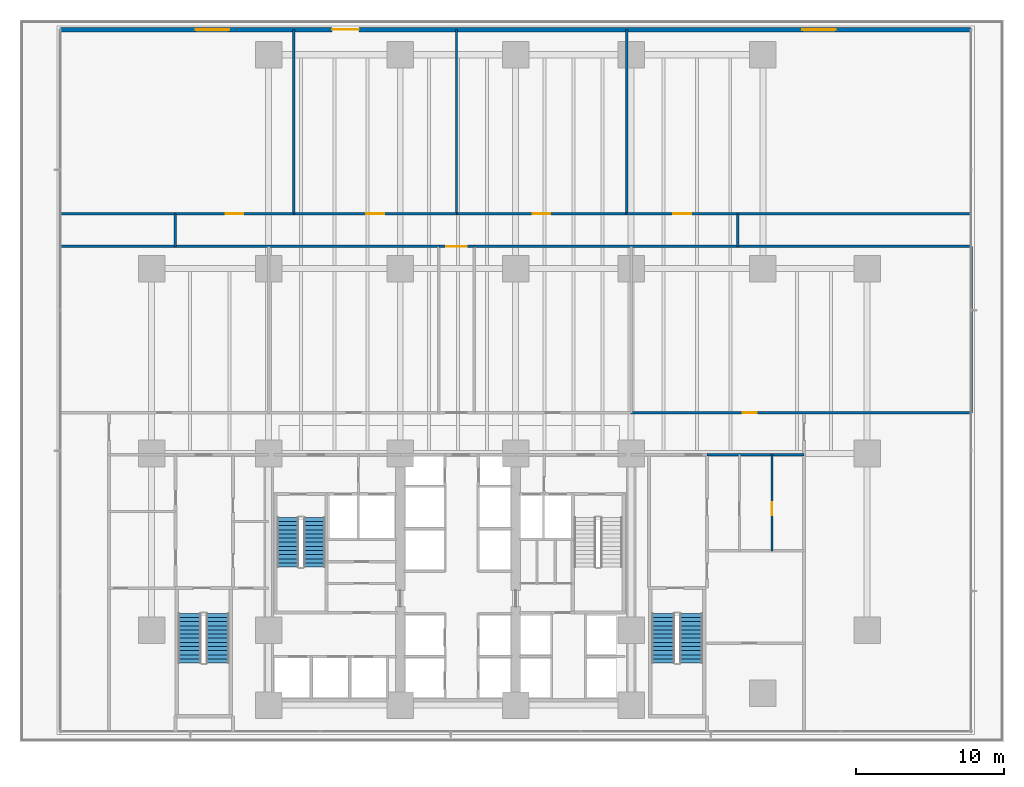
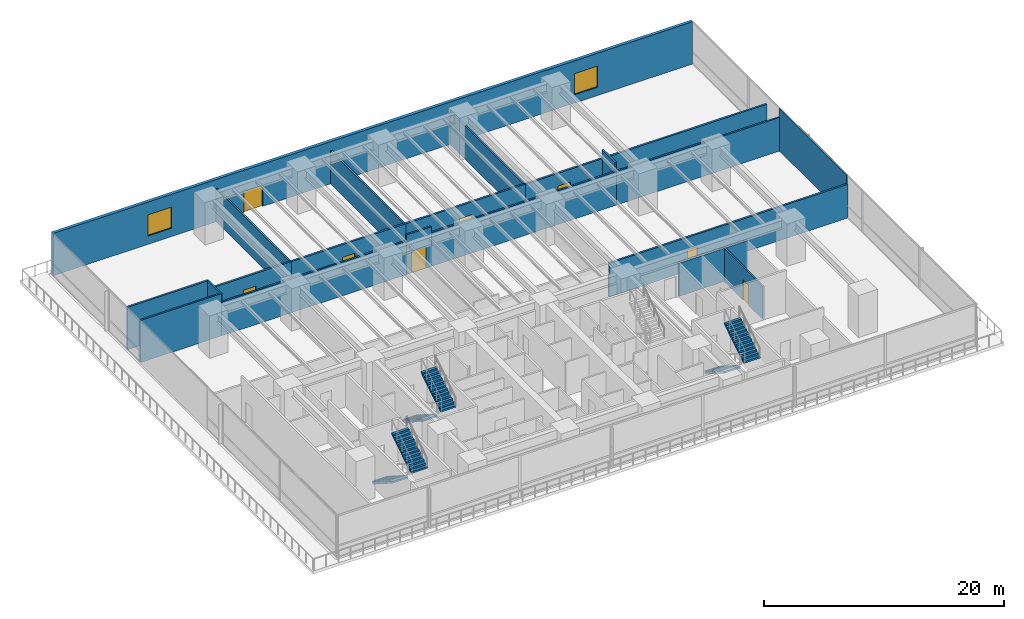
# One storey, part 13 of 26: 21 walls, 8 doors, 6 stair flights, 2 windows, 10 openings, 3 elements without a shape of their own.
"""IFC4 building model written with IfcOpenShell, lengths in metres."""

from ifc_helpers import new_model, si_unit, direction, frame, frame_2d, origin, place, context, subcontext, project, spatial, polyline, rectangle, outline, extrude, material, layer, layer_set, type_object, element, fill, aggregate, save


model = new_model("IFC4")

# Units and contexts
model_context = context("Model", 3, precision=1e-05, world=origin(), true_north=direction((0.0, 1.0)))
body_context = subcontext(model_context, "Body", "Model", "MODEL_VIEW")
ifc_project = project(units=[si_unit("LENGTHUNIT", "METRE"), si_unit("AREAUNIT", "SQUARE_METRE"), si_unit("VOLUMEUNIT", "CUBIC_METRE"), si_unit("PLANEANGLEUNIT", "RADIAN"), si_unit("MASSUNIT", "GRAM", prefix="KILO")], contexts=[model_context])

# Site, building, storey
site_placement = place(None, origin())
site = spatial("IfcSite", under=ifc_project, at=site_placement, CompositionType="ELEMENT")
building_placement = place(site_placement, origin())
building = spatial("IfcBuilding", under=site, at=building_placement, Name="Qalmaran Belvedere Hotel", CompositionType="ELEMENT")
storey_placement = place(building_placement, frame((0.0, 0.0, 19.199951171875)))
storey = spatial("IfcBuildingStorey", under=building, at=storey_placement, Name="L04", CompositionType="ELEMENT", Elevation=19.199951171875)

# Wall, openings, door, windows
ifc_material_1 = material(Name="Riyadh Limestone Cladding", Category="masonry")
ifc_layer_1 = layer(ifc_material_1, 0.300048828125, Name="Riyadh Limestone Cladding")
ifc_layer_set_1 = layer_set([ifc_layer_1], Name="Riyadh Limestone Cladding")
wall_type_1 = type_object("IfcWallType", Name="WL-EXT-BRNZ-300", PredefinedType="SOLIDWALL", material=ifc_layer_set_1)
wall_1_placement = place(storey_placement, frame((6.25, 49.14990234375, 0.0), z_axis=(0.0, 0.0, 1.0), x_axis=(1.0, 0.0, 0.0)))
wall_1 = element("IfcWall", 1, at=wall_1_placement, inside=storey, type_object=wall_type_1, Name="L04 North Terrace Wall", PredefinedType="SOLIDWALL", context=body_context, shape_type="SweptSolid", body=[
    extrude(rectangle(XDim=61.5, YDim=0.300048828125, at=frame_2d((30.75, 0.0))), origin(), (0.0, 0.0, 1.0), 4.300048828125),
])
opening_1_placement = place(wall_1_placement, frame((18.35009765625, 0.0, 0.0)))
opening_1 = element("IfcOpeningElement", 2, at=opening_1_placement, cuts=wall_1, Name="Opening TR-180", PredefinedType="OPENING", context=body_context, shape_type="SweptSolid", body=[
    extrude(rectangle(XDim=1.800048828125, YDim=2.14990234375, at=frame_2d((0.89990234375, 1.074951171875))), frame((0.0, 0.16015625, 0.0), z_axis=(0.0, -1.0, 0.0), x_axis=(1.0, 0.0, 0.0)), (0.0, 0.0, 1.0), 0.320068359375),
])
opening_2_placement = place(wall_1_placement, frame((9.125, 0.0, 0.85009765625)))
opening_2 = element("IfcOpeningElement", 3, at=opening_2_placement, cuts=wall_1, Name="Opening W-P22", PredefinedType="OPENING", context=body_context, shape_type="SweptSolid", body=[
    extrude(rectangle(XDim=2.25, YDim=2.14990234375, at=frame_2d((1.125, 1.074951171875))), frame((0.0, 0.16015625, 0.0), z_axis=(0.0, -1.0, 0.0), x_axis=(1.0, 0.0, 0.0)), (0.0, 0.0, 1.0), 0.320068359375),
])
opening_3_placement = place(wall_1_placement, frame((50.125, 0.0, 0.85009765625)))
opening_3 = element("IfcOpeningElement", 4, at=opening_3_placement, cuts=wall_1, Name="Opening W-P22", PredefinedType="OPENING", context=body_context, shape_type="SweptSolid", body=[
    extrude(rectangle(XDim=2.25, YDim=2.14990234375, at=frame_2d((1.125, 1.074951171875))), frame((0.0, 0.16015625, 0.0), z_axis=(0.0, -1.0, 0.0), x_axis=(1.0, 0.0, 0.0)), (0.0, 0.0, 1.0), 0.320068359375),
])
ifc_material_2 = material(Name="Anodised Bronze Aluminium", Category="aluminium")
door_type_1 = type_object("IfcDoorType", Name="DR-TERR-1800X2150", OperationType="NOTDEFINED", PredefinedType="DOOR", material=ifc_material_2)
door_1_placement = place(opening_1_placement, origin())
door_1 = element("IfcDoor", 5, at=door_1_placement, inside=storey, type_object=door_type_1, Name="L04 Podium Terrace Door", OperationType="DOUBLE_DOOR_SINGLE_SWING", OverallHeight=2.14990234375, OverallWidth=1.800048828125, PredefinedType="DOOR", context=body_context, shape_type="SweptSolid", body=[
    extrude(rectangle(XDim=1.800048828125, YDim=2.14990234375, at=frame_2d((0.89990234375, 1.074951171875))), frame((0.0, 0.02490234375, 0.0), z_axis=(0.0, -1.0, 0.0), x_axis=(1.0, 0.0, 0.0)), (0.0, 0.0, 1.0), 0.050048828125),
])
fill(opening_1, door_1)
ifc_material_3 = material(Name="Solar-Control Double Glazing", Category="glass")
window_type = type_object("IfcWindowType", Name="WN-POD-2250X2150", PartitioningType="SINGLE_PANEL", PredefinedType="WINDOW", material=ifc_material_3)
window_1_placement = place(opening_2_placement, origin())
window_1 = element("IfcWindow", 6, at=window_1_placement, inside=storey, type_object=window_type, Name="L04 North Chicago Bay Window 1", OverallHeight=2.14990234375, OverallWidth=2.25, PartitioningType="SINGLE_PANEL", PredefinedType="WINDOW", context=body_context, shape_type="SweptSolid", body=[
    extrude(rectangle(XDim=2.25, YDim=2.14990234375, at=frame_2d((1.125, 1.074951171875))), frame((0.0, 0.030029296875, 0.0), z_axis=(0.0, -1.0, 0.0), x_axis=(1.0, 0.0, 0.0)), (0.0, 0.0, 1.0), 0.06005859375),
])
fill(opening_2, window_1)
window_2_placement = place(opening_3_placement, origin())
window_2 = element("IfcWindow", 7, at=window_2_placement, inside=storey, type_object=window_type, Name="L04 North Chicago Bay Window 5", OverallHeight=2.14990234375, OverallWidth=2.25, PartitioningType="SINGLE_PANEL", PredefinedType="WINDOW", context=body_context, shape_type="SweptSolid", body=[
    extrude(rectangle(XDim=2.25, YDim=2.14990234375, at=frame_2d((1.125, 1.074951171875))), frame((0.0, 0.030029296875, 0.0), z_axis=(0.0, -1.0, 0.0), x_axis=(1.0, 0.0, 0.0)), (0.0, 0.0, 1.0), 0.06005859375),
])
fill(opening_3, window_2)

# Wall, opening, door
ifc_material_4 = material(Name="Gypsum Stud Partition")
ifc_layer_2 = layer(ifc_material_4, 0.14990234375, Name="Gypsum Stud Partition")
ifc_layer_set_2 = layer_set([ifc_layer_2], Name="Gypsum Stud Partition")
wall_type_2 = type_object("IfcWallType", Name="WL-INT-150-EI60", PredefinedType="PARTITIONING", material=ifc_layer_set_2)
wall_2_placement = place(storey_placement, frame((54.320068359375, 13.919921875, 0.0), z_axis=(0.0, 0.0, 1.0), x_axis=(0.0, 1.0, 0.0)))
wall_2 = element("IfcWall", 8, at=wall_2_placement, inside=storey, type_object=wall_type_2, Name="L04 Partition WL-L04-FCCV2", PredefinedType="PARTITIONING", context=body_context, shape_type="SweptSolid", body=[
    extrude(rectangle(XDim=6.5, YDim=0.14990234375, at=frame_2d((3.25, 0.0))), origin(), (0.0, 0.0, 1.0), 3.373046875),
])
opening_4_placement = place(wall_2_placement, frame((2.39990234375, 0.0, 0.0)))
opening_4 = element("IfcOpeningElement", 9, at=opening_4_placement, cuts=wall_2, Name="Opening FD60B", PredefinedType="OPENING", context=body_context, shape_type="SweptSolid", body=[
    extrude(rectangle(XDim=0.8798828125, YDim=2.080078125, at=frame_2d((0.43994140625, 1.0400390625))), frame((0.0, 0.0849609375, 0.0), z_axis=(0.0, -1.0, 0.0), x_axis=(1.0, 0.0, 0.0)), (0.0, 0.0, 1.0), 0.169921875),
])
ifc_material_5 = material(Name="Steel S355JR", Category="steel")
door_type_2 = type_object("IfcDoorType", Name="DR-FD60B-880X2080", OperationType="NOTDEFINED", PredefinedType="DOOR", material=ifc_material_5)
door_2_placement = place(opening_4_placement, origin())
door_2 = element("IfcDoor", 10, at=door_2_placement, inside=storey, type_object=door_type_2, Name="L04 AV Store Door", OperationType="SINGLE_SWING_LEFT", OverallHeight=2.080078125, OverallWidth=0.8798828125, PredefinedType="DOOR", context=body_context, shape_type="SweptSolid", body=[
    extrude(rectangle(XDim=0.8798828125, YDim=2.080078125, at=frame_2d((0.43994140625, 1.0400390625))), frame((0.0, 0.02490234375, 0.0), z_axis=(0.0, -1.0, 0.0), x_axis=(1.0, 0.0, 0.0)), (0.0, 0.0, 1.0), 0.050048828125),
])
fill(opening_4, door_2)

ifc_layer_3 = layer(ifc_material_4, 0.159912109375, Name="Gypsum Stud Partition")
ifc_layer_set_3 = layer_set([ifc_layer_3], Name="Gypsum Stud Partition")
wall_type_3 = type_object("IfcWallType", Name="WL-INT-160-EI60", PredefinedType="PARTITIONING", material=ifc_layer_set_3)
wall_3_placement = place(storey_placement, frame((31.800048828125, 34.5, 0.0), z_axis=(0.0, 0.0, 1.0), x_axis=(1.0, 0.0, 0.0)))
wall_3 = element("IfcWall", 11, at=wall_3_placement, inside=storey, type_object=wall_type_3, Name="L04 Partition WL-L04-NALN", PredefinedType="PARTITIONING", context=body_context, shape_type="SweptSolid", body=[
    extrude(rectangle(XDim=2.39990234375, YDim=0.159912109375, at=frame_2d((1.199951171875, 0.0))), origin(), (0.0, 0.0, 1.0), 4.0380859375),
])
opening_5_placement = place(wall_3_placement, frame((0.5, 0.0, 0.0)))
opening_5 = element("IfcOpeningElement", 12, at=opening_5_placement, cuts=wall_3, Name="Opening FD90D", PredefinedType="OPENING", context=body_context, shape_type="SweptSolid", body=[
    extrude(rectangle(XDim=1.39990234375, YDim=2.199951171875, at=frame_2d((0.699951171875, 1.10009765625))), frame((0.0, 0.08984375, 0.0), z_axis=(0.0, -1.0, 0.0), x_axis=(1.0, 0.0, 0.0)), (0.0, 0.0, 1.0), 0.179931640625),
])
door_type_3 = type_object("IfcDoorType", Name="DR-FD90D-1400X2200", OperationType="NOTDEFINED", PredefinedType="DOOR", material=ifc_material_5)
door_3_placement = place(opening_5_placement, origin())
door_3 = element("IfcDoor", 13, at=door_3_placement, inside=storey, type_object=door_type_3, Name="L04 Atrium Link North Door", OperationType="DOUBLE_DOOR_SINGLE_SWING", OverallHeight=2.199951171875, OverallWidth=1.39990234375, PredefinedType="DOOR", context=body_context, shape_type="SweptSolid", body=[
    extrude(rectangle(XDim=1.39990234375, YDim=2.199951171875, at=frame_2d((0.699951171875, 1.10009765625))), frame((0.0, 0.02490234375, 0.0), z_axis=(0.0, -1.0, 0.0), x_axis=(1.0, 0.0, 0.0)), (0.0, 0.0, 1.0), 0.050048828125),
])
fill(opening_5, door_3)

# Walls
for number, where, z_axis, x_axis, name in (
    (14, (14.0, 34.5, 0.0), (0.0, 0.0, 1.0), (1.0, 0.0, 0.0), "L04 Partition WL-L04-NTPSW"),
    (15, (34.199951171875, 34.5, 0.0), (0.0, 0.0, 1.0), (1.0, 0.0, 0.0), "L04 Partition WL-L04-NTPSE"),
):
    element("IfcWall", number, at=place(storey_placement, frame(where, z_axis=z_axis, x_axis=x_axis)), inside=storey, type_object=wall_type_3, Name=name, PredefinedType="PARTITIONING", context=body_context, shape_type="SweptSolid", body=[
        extrude(rectangle(XDim=17.800048828125, YDim=0.159912109375, at=frame_2d((8.89990234375, 0.0))), origin(), (0.0, 0.0, 1.0), 3.429931640625),
    ])
for number, where, z_axis, x_axis, name in (
    (16, (14.0, 34.5, 0.0), (0.0, 0.0, 1.0), (0.0, 1.0, 0.0), "L04 Partition WL-L04-NTPW"),
    (17, (52.0, 34.5, 0.0), (0.0, 0.0, 1.0), (0.0, 1.0, 0.0), "L04 Partition WL-L04-NTPE"),
):
    element("IfcWall", number, at=place(storey_placement, frame(where, z_axis=z_axis, x_axis=x_axis)), inside=storey, type_object=wall_type_3, Name=name, PredefinedType="PARTITIONING", context=body_context, shape_type="SweptSolid", body=[
        extrude(rectangle(XDim=2.199951171875, YDim=0.159912109375, at=frame_2d((1.10009765625, 0.0))), origin(), (0.0, 0.0, 1.0), 4.300048828125),
    ])
wall_4_placement = place(storey_placement, frame((6.219970703125, 34.5, 0.0), z_axis=(0.0, 0.0, 1.0), x_axis=(1.0, 0.0, 0.0)))
element("IfcWall", 18, at=wall_4_placement, inside=storey, type_object=wall_type_3, Name="L04 Partition WL-L04-PMWN0", PredefinedType="PARTITIONING", context=body_context, shape_type="SweptSolid", body=[
    extrude(rectangle(XDim=7.780029296875, YDim=0.159912109375, at=frame_2d((3.89013671875, 0.0))), origin(), (0.0, 0.0, 1.0), 4.300048828125),
])
wall_5_placement = place(storey_placement, frame((67.780029296875, 23.25, 0.0), z_axis=(0.0, 0.0, 1.0), x_axis=(0.0, 1.0, 0.0)))
element("IfcWall", 19, at=wall_5_placement, inside=storey, type_object=wall_type_3, Name="L04 Partition WL-L04-PMEVR2", PredefinedType="PARTITIONING", context=body_context, shape_type="SweptSolid", body=[
    extrude(rectangle(XDim=11.25, YDim=0.159912109375, at=frame_2d((5.625, 0.0))), origin(), (0.0, 0.0, 1.0), 4.300048828125),
])
wall_6_placement = place(storey_placement, frame((52.0, 34.5, 0.0), z_axis=(0.0, 0.0, 1.0), x_axis=(1.0, 0.0, 0.0)))
element("IfcWall", 20, at=wall_6_placement, inside=storey, type_object=wall_type_3, Name="L04 Partition WL-L04-PMEN0", PredefinedType="PARTITIONING", context=body_context, shape_type="SweptSolid", body=[
    extrude(rectangle(XDim=15.780029296875, YDim=0.159912109375, at=frame_2d((7.89013671875, 0.0))), origin(), (0.0, 0.0, 1.0), 3.429931640625),
])
for number, where, z_axis, x_axis, name in (
    (21, (22.0, 36.699951171875, 0.0), (0.0, 0.0, 1.0), (0.0, 1.0, 0.0), "L04 Partition WL-L04-PNV1"),
    (22, (33.0, 36.699951171875, 0.0), (0.0, 0.0, 1.0), (0.0, 1.0, 0.0), "L04 Partition WL-L04-PNV2"),
    (23, (44.5, 36.699951171875, 0.0), (0.0, 0.0, 1.0), (0.0, 1.0, 0.0), "L04 Partition WL-L04-PNV3"),
):
    element("IfcWall", number, at=place(storey_placement, frame(where, z_axis=z_axis, x_axis=x_axis)), inside=storey, type_object=wall_type_3, Name=name, PredefinedType="PARTITIONING", context=body_context, shape_type="SweptSolid", body=[
        extrude(rectangle(XDim=12.449951171875, YDim=0.159912109375, at=frame_2d((6.22509765625, 0.0))), origin(), (0.0, 0.0, 1.0), 3.373046875),
    ])

# Wall, opening, door
ifc_layer_4 = layer(ifc_material_4, 0.179931640625, Name="Gypsum Stud Partition")
ifc_layer_set_4 = layer_set([ifc_layer_4], Name="Gypsum Stud Partition")
wall_type_4 = type_object("IfcWallType", Name="WL-INT-180-EI60", PredefinedType="PARTITIONING", material=ifc_layer_set_4)
wall_7_placement = place(storey_placement, frame((44.800048828125, 23.25, 0.0), z_axis=(0.0, 0.0, 1.0), x_axis=(1.0, 0.0, 0.0)))
wall_7 = element("IfcWall", 24, at=wall_7_placement, inside=storey, type_object=wall_type_4, Name="L04 Partition WL-L04-PMED2", PredefinedType="PARTITIONING", context=body_context, shape_type="SweptSolid", body=[
    extrude(rectangle(XDim=22.97998046875, YDim=0.179931640625, at=frame_2d((11.489990234375, 0.0))), origin(), (0.0, 0.0, 1.0), 3.429931640625),
])
opening_6_placement = place(wall_7_placement, frame((7.53662109375, 0.0, 0.0)))
opening_6 = element("IfcOpeningElement", 25, at=opening_6_placement, cuts=wall_7, Name="Opening FD60", PredefinedType="OPENING", context=body_context, shape_type="SweptSolid", body=[
    extrude(rectangle(XDim=0.949951171875, YDim=2.14990234375, at=frame_2d((0.47509765625, 1.074951171875))), frame((0.0, 0.10009765625, 0.0), z_axis=(0.0, -1.0, 0.0), x_axis=(1.0, 0.0, 0.0)), (0.0, 0.0, 1.0), 0.199951171875),
])
ifc_material_6 = material(Name="Engineered Oak Veneer")
door_type_4 = type_object("IfcDoorType", Name="DR-FD60-950X2150", OperationType="NOTDEFINED", PredefinedType="DOOR", material=ifc_material_6)
door_4_placement = place(opening_6_placement, origin())
door_4 = element("IfcDoor", 26, at=door_4_placement, inside=storey, type_object=door_type_4, Name="L04 Thermal Suite Lounge Door", OperationType="SINGLE_SWING_RIGHT", OverallHeight=2.14990234375, OverallWidth=0.949951171875, PredefinedType="DOOR", context=body_context, shape_type="SweptSolid", body=[
    extrude(rectangle(XDim=0.949951171875, YDim=2.14990234375, at=frame_2d((0.47509765625, 1.074951171875))), frame((0.0, 0.02490234375, 0.0), z_axis=(0.0, -1.0, 0.0), x_axis=(1.0, 0.0, 0.0)), (0.0, 0.0, 1.0), 0.050048828125),
])
fill(opening_6, door_4)

wall_8_placement = place(storey_placement, frame((14.0, 36.699951171875, 0.0), z_axis=(0.0, 0.0, 1.0), x_axis=(1.0, 0.0, 0.0)))
wall_8 = element("IfcWall", 27, at=wall_8_placement, inside=storey, type_object=wall_type_4, Name="L04 Partition WL-L04-PNT1", PredefinedType="PARTITIONING", context=body_context, shape_type="SweptSolid", body=[
    extrude(rectangle(XDim=8.0, YDim=0.179931640625, at=frame_2d((4.0, 0.0))), origin(), (0.0, 0.0, 1.0), 3.429931640625),
])
opening_7_placement = place(wall_8_placement, frame((3.39990234375, 0.0, 0.0)))
opening_7 = element("IfcOpeningElement", 28, at=opening_7_placement, cuts=wall_8, Name="Opening FD60P", PredefinedType="OPENING", context=body_context, shape_type="SweptSolid", body=[
    extrude(rectangle(XDim=1.199951171875, YDim=2.139892578125, at=frame_2d((0.60009765625, 1.06982421875))), frame((0.0, 0.10009765625, 0.0), z_axis=(0.0, -1.0, 0.0), x_axis=(1.0, 0.0, 0.0)), (0.0, 0.0, 1.0), 0.199951171875),
])
door_type_5 = type_object("IfcDoorType", Name="DR-FD60P-1200X2140", OperationType="NOTDEFINED", PredefinedType="DOOR", material=ifc_material_6)
door_5_placement = place(opening_7_placement, origin())
door_5 = element("IfcDoor", 29, at=door_5_placement, inside=storey, type_object=door_type_5, Name="L04 Oasis Tea Salon Door", OperationType="DOUBLE_DOOR_SINGLE_SWING", OverallHeight=2.139892578125, OverallWidth=1.199951171875, PredefinedType="DOOR", context=body_context, shape_type="SweptSolid", body=[
    extrude(rectangle(XDim=1.199951171875, YDim=2.139892578125, at=frame_2d((0.60009765625, 1.06982421875))), frame((0.0, 0.02490234375, 0.0), z_axis=(0.0, -1.0, 0.0), x_axis=(1.0, 0.0, 0.0)), (0.0, 0.0, 1.0), 0.050048828125),
])
fill(opening_7, door_5)

# Wall
wall_9_placement = place(storey_placement, frame((6.219970703125, 36.699951171875, 0.0), z_axis=(0.0, 0.0, 1.0), x_axis=(1.0, 0.0, 0.0)))
element("IfcWall", 30, at=wall_9_placement, inside=storey, type_object=wall_type_4, Name="L04 Partition WL-L04-PNTW1", PredefinedType="PARTITIONING", context=body_context, shape_type="SweptSolid", body=[
    extrude(rectangle(XDim=7.780029296875, YDim=0.179931640625, at=frame_2d((3.89013671875, 0.0))), origin(), (0.0, 0.0, 1.0), 4.300048828125),
])

# Wall, opening, door
wall_10_placement = place(storey_placement, frame((22.0, 36.699951171875, 0.0), z_axis=(0.0, 0.0, 1.0), x_axis=(1.0, 0.0, 0.0)))
wall_10 = element("IfcWall", 31, at=wall_10_placement, inside=storey, type_object=wall_type_4, Name="L04 Partition WL-L04-PNT2", PredefinedType="PARTITIONING", context=body_context, shape_type="SweptSolid", body=[
    extrude(rectangle(XDim=11.0, YDim=0.179931640625, at=frame_2d((5.5, 0.0))), origin(), (0.0, 0.0, 1.0), 3.429931640625),
])
opening_8_placement = place(wall_10_placement, frame((4.89990234375, 0.0, 0.0)))
opening_8 = element("IfcOpeningElement", 32, at=opening_8_placement, cuts=wall_10, Name="Opening FD60P", PredefinedType="OPENING", context=body_context, shape_type="SweptSolid", body=[
    extrude(rectangle(XDim=1.199951171875, YDim=2.139892578125, at=frame_2d((0.60009765625, 1.06982421875))), frame((0.0, 0.10009765625, 0.0), z_axis=(0.0, -1.0, 0.0), x_axis=(1.0, 0.0, 0.0)), (0.0, 0.0, 1.0), 0.199951171875),
])
door_6_placement = place(opening_8_placement, origin())
door_6 = element("IfcDoor", 33, at=door_6_placement, inside=storey, type_object=door_type_5, Name="L04 Panorama Pilates Studio Door", OperationType="DOUBLE_DOOR_SINGLE_SWING", OverallHeight=2.139892578125, OverallWidth=1.199951171875, PredefinedType="DOOR", context=body_context, shape_type="SweptSolid", body=[
    extrude(rectangle(XDim=1.199951171875, YDim=2.139892578125, at=frame_2d((0.60009765625, 1.06982421875))), frame((0.0, 0.02490234375, 0.0), z_axis=(0.0, -1.0, 0.0), x_axis=(1.0, 0.0, 0.0)), (0.0, 0.0, 1.0), 0.050048828125),
])
fill(opening_8, door_6)

wall_11_placement = place(storey_placement, frame((33.0, 36.699951171875, 0.0), z_axis=(0.0, 0.0, 1.0), x_axis=(1.0, 0.0, 0.0)))
wall_11 = element("IfcWall", 34, at=wall_11_placement, inside=storey, type_object=wall_type_4, Name="L04 Partition WL-L04-PNT3", PredefinedType="PARTITIONING", context=body_context, shape_type="SweptSolid", body=[
    extrude(rectangle(XDim=11.5, YDim=0.179931640625, at=frame_2d((5.75, 0.0))), origin(), (0.0, 0.0, 1.0), 3.429931640625),
])
opening_9_placement = place(wall_11_placement, frame((5.14990234375, 0.0, 0.0)))
opening_9 = element("IfcOpeningElement", 35, at=opening_9_placement, cuts=wall_11, Name="Opening FD60P", PredefinedType="OPENING", context=body_context, shape_type="SweptSolid", body=[
    extrude(rectangle(XDim=1.199951171875, YDim=2.139892578125, at=frame_2d((0.60009765625, 1.06982421875))), frame((0.0, 0.10009765625, 0.0), z_axis=(0.0, -1.0, 0.0), x_axis=(1.0, 0.0, 0.0)), (0.0, 0.0, 1.0), 0.199951171875),
])
door_7_placement = place(opening_9_placement, origin())
door_7 = element("IfcDoor", 36, at=door_7_placement, inside=storey, type_object=door_type_5, Name="L04 Terrace Vitality Lounge Door", OperationType="DOUBLE_DOOR_SINGLE_SWING", OverallHeight=2.139892578125, OverallWidth=1.199951171875, PredefinedType="DOOR", context=body_context, shape_type="SweptSolid", body=[
    extrude(rectangle(XDim=1.199951171875, YDim=2.139892578125, at=frame_2d((0.60009765625, 1.06982421875))), frame((0.0, 0.02490234375, 0.0), z_axis=(0.0, -1.0, 0.0), x_axis=(1.0, 0.0, 0.0)), (0.0, 0.0, 1.0), 0.050048828125),
])
fill(opening_9, door_7)

wall_12_placement = place(storey_placement, frame((44.5, 36.699951171875, 0.0), z_axis=(0.0, 0.0, 1.0), x_axis=(1.0, 0.0, 0.0)))
wall_12 = element("IfcWall", 37, at=wall_12_placement, inside=storey, type_object=wall_type_4, Name="L04 Partition WL-L04-PNT4", PredefinedType="PARTITIONING", context=body_context, shape_type="SweptSolid", body=[
    extrude(rectangle(XDim=7.5, YDim=0.179931640625, at=frame_2d((3.75, 0.0))), origin(), (0.0, 0.0, 1.0), 3.429931640625),
])
opening_10_placement = place(wall_12_placement, frame((3.14990234375, 0.0, 0.0)))
opening_10 = element("IfcOpeningElement", 38, at=opening_10_placement, cuts=wall_12, Name="Opening FD60P", PredefinedType="OPENING", context=body_context, shape_type="SweptSolid", body=[
    extrude(rectangle(XDim=1.199951171875, YDim=2.139892578125, at=frame_2d((0.60009765625, 1.06982421875))), frame((0.0, 0.10009765625, 0.0), z_axis=(0.0, -1.0, 0.0), x_axis=(1.0, 0.0, 0.0)), (0.0, 0.0, 1.0), 0.199951171875),
])
door_8_placement = place(opening_10_placement, origin())
door_8 = element("IfcDoor", 39, at=door_8_placement, inside=storey, type_object=door_type_5, Name="L04 East Spa Pavilion Door", OperationType="DOUBLE_DOOR_SINGLE_SWING", OverallHeight=2.139892578125, OverallWidth=1.199951171875, PredefinedType="DOOR", context=body_context, shape_type="SweptSolid", body=[
    extrude(rectangle(XDim=1.199951171875, YDim=2.139892578125, at=frame_2d((0.60009765625, 1.06982421875))), frame((0.0, 0.02490234375, 0.0), z_axis=(0.0, -1.0, 0.0), x_axis=(1.0, 0.0, 0.0)), (0.0, 0.0, 1.0), 0.050048828125),
])
fill(opening_10, door_8)

# Walls
wall_13_placement = place(storey_placement, frame((52.0, 36.699951171875, 0.0), z_axis=(0.0, 0.0, 1.0), x_axis=(1.0, 0.0, 0.0)))
element("IfcWall", 40, at=wall_13_placement, inside=storey, type_object=wall_type_4, Name="L04 Partition WL-L04-PNTE4", PredefinedType="PARTITIONING", context=body_context, shape_type="SweptSolid", body=[
    extrude(rectangle(XDim=15.780029296875, YDim=0.179931640625, at=frame_2d((7.89013671875, 0.0))), origin(), (0.0, 0.0, 1.0), 3.429931640625),
])
ifc_material_7 = material(Name="Concrete C30/37 Blockwork", Category="masonry")
ifc_layer_5 = layer(ifc_material_7, 0.199951171875, Name="Concrete C30/37 Blockwork")
ifc_layer_set_5 = layer_set([ifc_layer_5], Name="Concrete C30/37 Blockwork")
wall_type_5 = type_object("IfcWallType", Name="WL-INT-200-EI120", PredefinedType="PARTITIONING", material=ifc_layer_set_5)
wall_14_placement = place(storey_placement, frame((49.919921875, 20.419921875, 0.0), z_axis=(0.0, 0.0, 1.0), x_axis=(1.0, 0.0, 0.0)))
element("IfcWall", 41, at=wall_14_placement, inside=storey, type_object=wall_type_5, Name="L04 Partition WL-L04-CSEN", PredefinedType="PARTITIONING", context=body_context, shape_type="SweptSolid", body=[
    extrude(rectangle(XDim=6.56005859375, YDim=0.199951171875, at=frame_2d((3.280029296875, 0.0))), origin(), (0.0, 0.0, 1.0), 3.373046875),
])

# Stair, stair flights
ifc_material_8 = material(Name="Concrete C40/50", Category="concrete")
stair_type_1 = type_object("IfcStairType", Name="STR-ST-1-1450-R1769", PredefinedType="HALF_TURN_STAIR", material=ifc_material_8)
stair_1_placement = place(storey_placement, origin())
stair_1 = element("IfcStair", 42, at=stair_1_placement, inside=storey, type_object=stair_type_1, Name="L04 West Core Exit Stair ST-1", PredefinedType="HALF_TURN_STAIR")
ifc_layer_6 = layer(ifc_material_8, 0.14990234375, Name="Concrete C40/50")
ifc_layer_set_6 = layer_set([ifc_layer_6], Name="Concrete C40/50")
stair_flight_type_1 = type_object("IfcStairFlightType", Name="STF-ST-1-1450-R1769", PredefinedType="STRAIGHT", material=ifc_layer_set_6)
stair_flight_1_placement = place(storey_placement, frame((21.60498046875, 16.18994140625, 0.0), z_axis=(0.0, 0.0, 1.0), x_axis=(0.0, -1.0, 0.0)))
stair_flight_1 = element("IfcStairFlight", 43, at=stair_flight_1_placement, type_object=stair_flight_type_1, Name="ST-1 flight 1", NumberOfRisers=13, NumberOfTreads=12, PredefinedType="STRAIGHT", RiserHeight=0.176923077, TreadLength=0.28, context=body_context, shape_type="SweptSolid", body=[
    extrude(outline(polyline([(0.0, 0.0), (0.0, 0.177001953125), (0.280029296875, 0.177001953125), (0.280029296875, 0.353759765625), (0.56005859375, 0.353759765625), (0.56005859375, 0.53076171875), (0.840087890625, 0.53076171875), (0.840087890625, 0.707763671875), (1.1201171875, 0.707763671875), (1.1201171875, 0.884521484375), (1.39990234375, 0.884521484375), (1.39990234375, 1.0615234375), (1.679931640625, 1.0615234375), (1.679931640625, 1.238525390625), (1.9599609375, 1.238525390625), (1.9599609375, 1.415283203125), (2.239990234375, 1.415283203125), (2.239990234375, 1.59228515625), (2.52001953125, 1.59228515625), (2.52001953125, 1.769287109375), (2.800048828125, 1.769287109375), (2.800048828125, 1.946044921875), (3.080078125, 1.946044921875), (3.080078125, 2.123046875), (3.360107421875, 2.123046875), (3.360107421875, 2.300048828125), (3.360107421875, 1.94580078125), (0.280517578125, 0.0), (0.0, 0.0)])), frame((0.0, 0.72509765625, 0.0), z_axis=(0.0, -1.0, 0.0), x_axis=(1.0, 0.0, 0.0)), (0.0, 0.0, 1.0), 1.449951171875),
])
stair_flight_2_placement = place(storey_placement, frame((23.39501953125, 12.830078125, 2.300048828125), z_axis=(0.0, 0.0, 1.0), x_axis=(0.0, 1.0, 0.0)))
stair_flight_2 = element("IfcStairFlight", 44, at=stair_flight_2_placement, type_object=stair_flight_type_1, Name="ST-1 flight 2", NumberOfRisers=13, NumberOfTreads=12, PredefinedType="STRAIGHT", RiserHeight=0.176923077, TreadLength=0.28, context=body_context, shape_type="SweptSolid", body=[
    extrude(outline(polyline([(0.0, 0.0), (0.0, 0.177001953125), (0.280029296875, 0.177001953125), (0.280029296875, 0.353759765625), (0.56005859375, 0.353759765625), (0.56005859375, 0.53076171875), (0.840087890625, 0.53076171875), (0.840087890625, 0.707763671875), (1.1201171875, 0.707763671875), (1.1201171875, 0.884521484375), (1.39990234375, 0.884521484375), (1.39990234375, 1.0615234375), (1.679931640625, 1.0615234375), (1.679931640625, 1.238525390625), (1.9599609375, 1.238525390625), (1.9599609375, 1.415283203125), (2.239990234375, 1.415283203125), (2.239990234375, 1.59228515625), (2.52001953125, 1.59228515625), (2.52001953125, 1.769287109375), (2.800048828125, 1.769287109375), (2.800048828125, 1.946044921875), (3.080078125, 1.946044921875), (3.080078125, 2.123046875), (3.360107421875, 2.123046875), (3.360107421875, 2.300048828125), (3.360107421875, 1.94580078125), (0.280517578125, 0.0), (0.0, 0.0)])), frame((0.0, 0.72509765625, 0.0), z_axis=(0.0, -1.0, 0.0), x_axis=(1.0, 0.0, 0.0)), (0.0, 0.0, 1.0), 1.449951171875),
])
aggregate(stair_1, [stair_flight_1, stair_flight_2])

stair_type_2 = type_object("IfcStairType", Name="STR-ST-P1-1550-R1769", PredefinedType="HALF_TURN_STAIR", material=ifc_material_8)
stair_2_placement = place(storey_placement, origin())
stair_2 = element("IfcStair", 45, at=stair_2_placement, inside=storey, type_object=stair_type_2, Name="L04 West Podium Exit Stair ST-P1", PredefinedType="HALF_TURN_STAIR")
ifc_layer_7 = layer(ifc_material_8, 0.14990234375, Name="Concrete C40/50")
ifc_layer_set_7 = layer_set([ifc_layer_7], Name="Concrete C40/50")
stair_flight_type_2 = type_object("IfcStairFlightType", Name="STF-ST-P1-1550-R1769", PredefinedType="STRAIGHT", material=ifc_layer_set_7)
stair_flight_3_placement = place(storey_placement, frame((14.97509765625, 9.699951171875, 0.0), z_axis=(0.0, 0.0, 1.0), x_axis=(0.0, -1.0, 0.0)))
stair_flight_3 = element("IfcStairFlight", 46, at=stair_flight_3_placement, type_object=stair_flight_type_2, Name="ST-P1 flight 1", NumberOfRisers=13, NumberOfTreads=12, PredefinedType="STRAIGHT", RiserHeight=0.176923077, TreadLength=0.28, context=body_context, shape_type="SweptSolid", body=[
    extrude(outline(polyline([(0.0, 0.0), (0.0, 0.177001953125), (0.280029296875, 0.177001953125), (0.280029296875, 0.353759765625), (0.56005859375, 0.353759765625), (0.56005859375, 0.53076171875), (0.840087890625, 0.53076171875), (0.840087890625, 0.707763671875), (1.1201171875, 0.707763671875), (1.1201171875, 0.884521484375), (1.39990234375, 0.884521484375), (1.39990234375, 1.0615234375), (1.679931640625, 1.0615234375), (1.679931640625, 1.238525390625), (1.9599609375, 1.238525390625), (1.9599609375, 1.415283203125), (2.239990234375, 1.415283203125), (2.239990234375, 1.59228515625), (2.52001953125, 1.59228515625), (2.52001953125, 1.769287109375), (2.800048828125, 1.769287109375), (2.800048828125, 1.946044921875), (3.080078125, 1.946044921875), (3.080078125, 2.123046875), (3.360107421875, 2.123046875), (3.360107421875, 2.300048828125), (3.360107421875, 1.94580078125), (0.280517578125, 0.0), (0.0, 0.0)])), frame((0.0, 0.77490234375, 0.0), z_axis=(0.0, -1.0, 0.0), x_axis=(1.0, 0.0, 0.0)), (0.0, 0.0, 1.0), 1.550048828125),
])
stair_flight_4_placement = place(storey_placement, frame((16.864990234375, 6.340087890625, 2.300048828125), z_axis=(0.0, 0.0, 1.0), x_axis=(0.0, 1.0, 0.0)))
stair_flight_4 = element("IfcStairFlight", 47, at=stair_flight_4_placement, type_object=stair_flight_type_2, Name="ST-P1 flight 2", NumberOfRisers=13, NumberOfTreads=12, PredefinedType="STRAIGHT", RiserHeight=0.176923077, TreadLength=0.28, context=body_context, shape_type="SweptSolid", body=[
    extrude(outline(polyline([(0.0, 0.0), (0.0, 0.177001953125), (0.280029296875, 0.177001953125), (0.280029296875, 0.353759765625), (0.56005859375, 0.353759765625), (0.56005859375, 0.53076171875), (0.840087890625, 0.53076171875), (0.840087890625, 0.707763671875), (1.1201171875, 0.707763671875), (1.1201171875, 0.884521484375), (1.39990234375, 0.884521484375), (1.39990234375, 1.0615234375), (1.679931640625, 1.0615234375), (1.679931640625, 1.238525390625), (1.9599609375, 1.238525390625), (1.9599609375, 1.415283203125), (2.239990234375, 1.415283203125), (2.239990234375, 1.59228515625), (2.52001953125, 1.59228515625), (2.52001953125, 1.769287109375), (2.800048828125, 1.769287109375), (2.800048828125, 1.946044921875), (3.080078125, 1.946044921875), (3.080078125, 2.123046875), (3.360107421875, 2.123046875), (3.360107421875, 2.300048828125), (3.360107421875, 1.94580078125), (0.280517578125, 0.0), (0.0, 0.0)])), frame((0.0, 0.77490234375, 0.0), z_axis=(0.0, -1.0, 0.0), x_axis=(1.0, 0.0, 0.0)), (0.0, 0.0, 1.0), 1.550048828125),
])
aggregate(stair_2, [stair_flight_3, stair_flight_4])

stair_type_3 = type_object("IfcStairType", Name="STR-ST-P2-1550-R1769", PredefinedType="HALF_TURN_STAIR", material=ifc_material_8)
stair_3_placement = place(storey_placement, origin())
stair_3 = element("IfcStair", 48, at=stair_3_placement, inside=storey, type_object=stair_type_3, Name="L04 East Podium Exit Stair ST-P2", PredefinedType="HALF_TURN_STAIR")
ifc_layer_8 = layer(ifc_material_8, 0.14990234375, Name="Concrete C40/50")
ifc_layer_set_8 = layer_set([ifc_layer_8], Name="Concrete C40/50")
stair_flight_type_3 = type_object("IfcStairFlightType", Name="STF-ST-P2-1550-R1769", PredefinedType="STRAIGHT", material=ifc_layer_set_8)
stair_flight_5_placement = place(storey_placement, frame((46.97509765625, 9.699951171875, 0.0), z_axis=(0.0, 0.0, 1.0), x_axis=(0.0, -1.0, 0.0)))
stair_flight_5 = element("IfcStairFlight", 49, at=stair_flight_5_placement, type_object=stair_flight_type_3, Name="ST-P2 flight 1", NumberOfRisers=13, NumberOfTreads=12, PredefinedType="STRAIGHT", RiserHeight=0.176923077, TreadLength=0.28, context=body_context, shape_type="SweptSolid", body=[
    extrude(outline(polyline([(0.0, 0.0), (0.0, 0.177001953125), (0.280029296875, 0.177001953125), (0.280029296875, 0.353759765625), (0.56005859375, 0.353759765625), (0.56005859375, 0.53076171875), (0.840087890625, 0.53076171875), (0.840087890625, 0.707763671875), (1.1201171875, 0.707763671875), (1.1201171875, 0.884521484375), (1.39990234375, 0.884521484375), (1.39990234375, 1.0615234375), (1.679931640625, 1.0615234375), (1.679931640625, 1.238525390625), (1.9599609375, 1.238525390625), (1.9599609375, 1.415283203125), (2.239990234375, 1.415283203125), (2.239990234375, 1.59228515625), (2.52001953125, 1.59228515625), (2.52001953125, 1.769287109375), (2.800048828125, 1.769287109375), (2.800048828125, 1.946044921875), (3.080078125, 1.946044921875), (3.080078125, 2.123046875), (3.360107421875, 2.123046875), (3.360107421875, 2.300048828125), (3.360107421875, 1.94580078125), (0.280517578125, 0.0), (0.0, 0.0)])), frame((0.0, 0.77490234375, 0.0), z_axis=(0.0, -1.0, 0.0), x_axis=(1.0, 0.0, 0.0)), (0.0, 0.0, 1.0), 1.550048828125),
])
stair_flight_6_placement = place(storey_placement, frame((48.864990234375, 6.340087890625, 2.300048828125), z_axis=(0.0, 0.0, 1.0), x_axis=(0.0, 1.0, 0.0)))
stair_flight_6 = element("IfcStairFlight", 50, at=stair_flight_6_placement, type_object=stair_flight_type_3, Name="ST-P2 flight 2", NumberOfRisers=13, NumberOfTreads=12, PredefinedType="STRAIGHT", RiserHeight=0.176923077, TreadLength=0.28, context=body_context, shape_type="SweptSolid", body=[
    extrude(outline(polyline([(0.0, 0.0), (0.0, 0.177001953125), (0.280029296875, 0.177001953125), (0.280029296875, 0.353759765625), (0.56005859375, 0.353759765625), (0.56005859375, 0.53076171875), (0.840087890625, 0.53076171875), (0.840087890625, 0.707763671875), (1.1201171875, 0.707763671875), (1.1201171875, 0.884521484375), (1.39990234375, 0.884521484375), (1.39990234375, 1.0615234375), (1.679931640625, 1.0615234375), (1.679931640625, 1.238525390625), (1.9599609375, 1.238525390625), (1.9599609375, 1.415283203125), (2.239990234375, 1.415283203125), (2.239990234375, 1.59228515625), (2.52001953125, 1.59228515625), (2.52001953125, 1.769287109375), (2.800048828125, 1.769287109375), (2.800048828125, 1.946044921875), (3.080078125, 1.946044921875), (3.080078125, 2.123046875), (3.360107421875, 2.123046875), (3.360107421875, 2.300048828125), (3.360107421875, 1.94580078125), (0.280517578125, 0.0), (0.0, 0.0)])), frame((0.0, 0.77490234375, 0.0), z_axis=(0.0, -1.0, 0.0), x_axis=(1.0, 0.0, 0.0)), (0.0, 0.0, 1.0), 1.550048828125),
])
aggregate(stair_3, [stair_flight_5, stair_flight_6])

save(model, "model.ifc")
